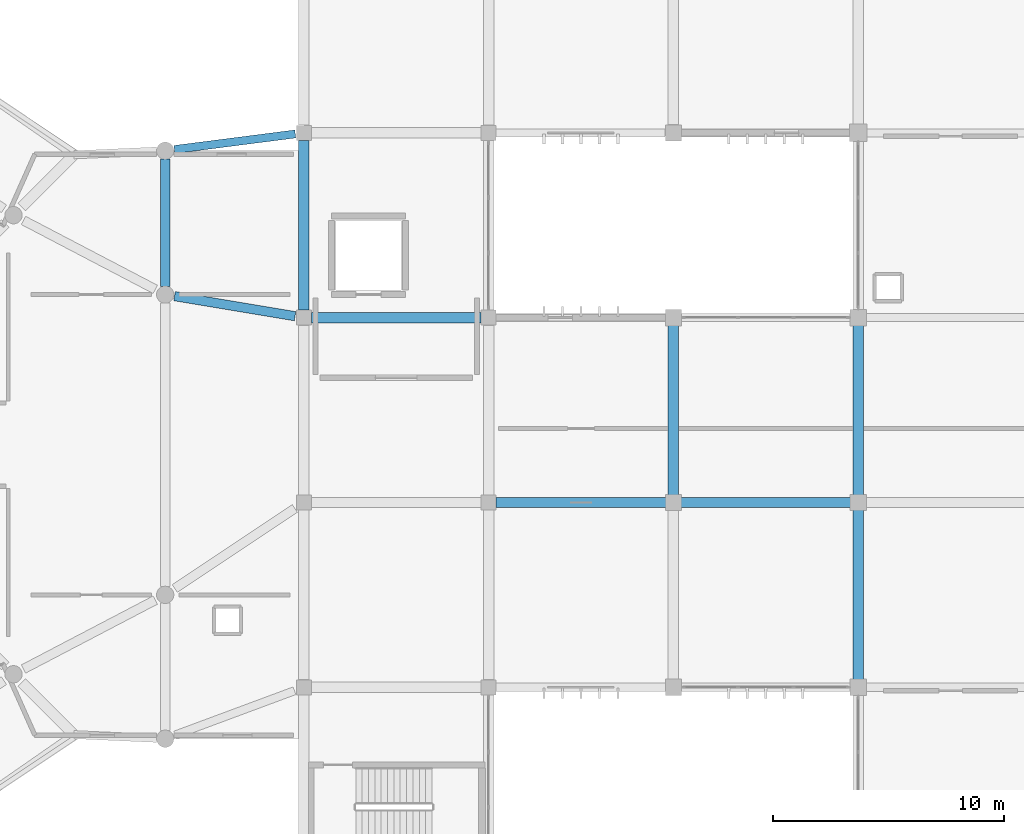
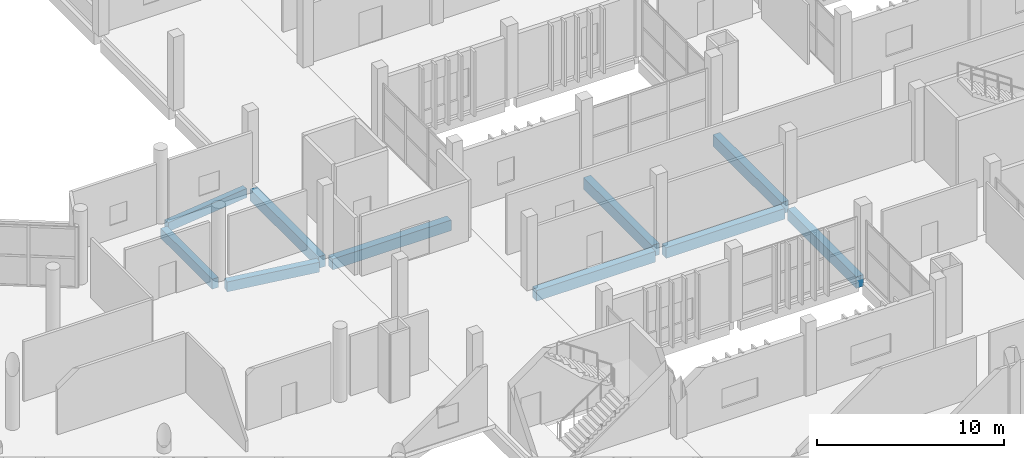
# One storey, part 30 of 106: 10 beams.
"""IFC4 building model written with IfcOpenShell, lengths in metres."""

from ifc_helpers import new_model, si_unit, direction, frame, origin, origin_2d, place, context, subcontext, project, spatial, rectangle, extrude, material, material_profile, profile_set, type_object, element, save


model = new_model("IFC4")

# Units and contexts
model_context = context("Model", 3, precision=1e-05, world=origin(), true_north=direction((0.0, 1.0)))
body_context = subcontext(model_context, "Body", "Model", "MODEL_VIEW")
ifc_project = project(units=[si_unit("LENGTHUNIT", "METRE"), si_unit("AREAUNIT", "SQUARE_METRE"), si_unit("VOLUMEUNIT", "CUBIC_METRE"), si_unit("PLANEANGLEUNIT", "RADIAN"), si_unit("MASSUNIT", "GRAM", prefix="KILO")], contexts=[model_context])

# Site, building, storey
site_placement = place(None, origin())
site = spatial("IfcSite", under=ifc_project, at=site_placement, CompositionType="ELEMENT")
building_placement = place(site_placement, origin())
building = spatial("IfcBuilding", under=site, at=building_placement, Name="Jelvoka-Kovrelna Polytechnic", CompositionType="ELEMENT")
storey_placement = place(building_placement, frame((0.0, 0.0, 4.800048828125)))
storey = spatial("IfcBuildingStorey", under=building, at=storey_placement, Name="L02", CompositionType="ELEMENT", Elevation=4.800048828125)

# Beams
ifc_material_1 = material(Name="Concrete C40/50", Category="concrete")
ifc_material_profile_1 = material_profile(ifc_material_1, rectangle(XDim=0.39990234375, YDim=0.64990234375, at=origin_2d()), Name="RC 400x650")
ifc_profile_set_1 = profile_set([ifc_material_profile_1], Name="Concrete C40/50")
beam_type_1 = type_object("IfcBeamType", Name="Beam_RC_400x650", PredefinedType="BEAM", material=ifc_profile_set_1)
beam_1_placement = place(storey_placement, frame((42.406005859375, 48.932373046875, -0.574951171875), z_axis=(0.986393923832, -0.164398987305, 0.0), x_axis=(0.164398987305, 0.986393923832, 0.0)))
element("IfcBeam", 1, at=beam_1_placement, inside=storey, type_object=beam_type_1, Name="L02 beam 2458", PredefinedType="BEAM", context=body_context, shape_type="SweptSolid", body=[
    extrude(rectangle(XDim=0.39990234375, YDim=0.64990234375, at=origin_2d()), origin(), (0.0, 0.0, 1.0), 5.288330078125),
])
beam_2_placement = place(storey_placement, frame((42.0, 49.35498046875, -0.574951171875), z_axis=(0.0, 1.0, 0.0), x_axis=(-1.0, 0.0, 0.0)))
element("IfcBeam", 2, at=beam_2_placement, inside=storey, type_object=beam_type_1, Name="L02 beam 2463", PredefinedType="BEAM", context=body_context, shape_type="SweptSolid", body=[
    extrude(rectangle(XDim=0.39990234375, YDim=0.64990234375, at=origin_2d()), origin(), (0.0, 0.0, 1.0), 5.517822265625),
])
ifc_material_2 = material(Name="Concrete C40/50", Category="concrete")
ifc_material_profile_2 = material_profile(ifc_material_2, rectangle(XDim=0.449951171875, YDim=0.699951171875, at=origin_2d()), Name="RC 450x700")
ifc_profile_set_2 = profile_set([ifc_material_profile_2], Name="Concrete C40/50")
beam_type_2 = type_object("IfcBeamType", Name="Beam_RC_450x700", PredefinedType="BEAM", material=ifc_profile_set_2)
for number, where, z_axis, x_axis, name in (
    (3, (56.330078125, 40.0, -0.614990234375), (1.0, 0.0, 0.0), (0.0, 1.0, 0.0), "L02 beam 0685"),
    (4, (64.330078125, 40.0, -0.614990234375), (1.0, 0.0, 0.0), (0.0, 1.0, 0.0), "L02 beam 0686"),
    (5, (48.330078125, 48.0, -0.614990234375), (1.0, 0.0, 0.0), (0.0, 1.0, 0.0), "L02 beam 0843"),
):
    element("IfcBeam", number, at=place(storey_placement, frame(where, z_axis=z_axis, x_axis=x_axis)), inside=storey, type_object=beam_type_2, Name=name, PredefinedType="BEAM", context=body_context, shape_type="SweptSolid", body=[
        extrude(rectangle(XDim=0.449951171875, YDim=0.699951171875, at=origin_2d()), origin(), (0.0, 0.0, 1.0), 7.33984375),
    ])
ifc_material_3 = material(Name="Concrete C40/50", Category="concrete")
ifc_material_profile_3 = material_profile(ifc_material_3, rectangle(XDim=0.449951171875, YDim=0.75, at=origin_2d()), Name="RC 450x750")
ifc_profile_set_3 = profile_set([ifc_material_profile_3], Name="Concrete C40/50")
beam_type_3 = type_object("IfcBeamType", Name="Beam_RC_450x750", PredefinedType="BEAM", material=ifc_profile_set_3)
for number, where, z_axis, x_axis, name in (
    (6, (64.0, 40.330078125, -0.64013671875), (0.0, 1.0, 0.0), (-1.0, 0.0, 0.0), "L02 beam 0701"),
    (7, (72.0, 32.330078125, -0.64013671875), (0.0, 1.0, 0.0), (-1.0, 0.0, 0.0), "L02 beam 0702"),
    (8, (72.0, 40.330078125, -0.64013671875), (0.0, 1.0, 0.0), (-1.0, 0.0, 0.0), "L02 beam 0703"),
    (9, (48.0, 48.330078125, -0.64013671875), (0.0, 1.0, 0.0), (-1.0, 0.0, 0.0), "L02 beam 0850"),
):
    element("IfcBeam", number, at=place(storey_placement, frame(where, z_axis=z_axis, x_axis=x_axis)), inside=storey, type_object=beam_type_3, Name=name, PredefinedType="BEAM", context=body_context, shape_type="SweptSolid", body=[
        extrude(rectangle(XDim=0.449951171875, YDim=0.75, at=origin_2d()), origin(), (0.0, 0.0, 1.0), 7.33984375),
    ])
ifc_material_4 = material(Name="Concrete C40/50", Category="concrete")
ifc_material_profile_4 = material_profile(ifc_material_4, rectangle(XDim=0.35009765625, YDim=0.60009765625, at=origin_2d()), Name="RC 350x600")
ifc_profile_set_4 = profile_set([ifc_material_profile_4], Name="Concrete C40/50")
beam_type_4 = type_object("IfcBeamType", Name="Spandrel_RC_350x600", PredefinedType="SPANDREL", material=ifc_profile_set_4)
beam_3_placement = place(storey_placement, frame((42.396484375, 55.27880859375, -0.550048828125), z_axis=(0.99182231302, 0.12762640556, 0.0), x_axis=(-0.12762640556, 0.99182231302, 0.0)))
element("IfcBeam", 10, at=beam_3_placement, inside=storey, type_object=beam_type_4, Name="L02 beam 2454", PredefinedType="SPANDREL", context=body_context, shape_type="SweptSolid", body=[
    extrude(rectangle(XDim=0.35009765625, YDim=0.60009765625, at=origin_2d()), origin(), (0.0, 0.0, 1.0), 5.27783203125),
])

save(model, "model.ifc")
